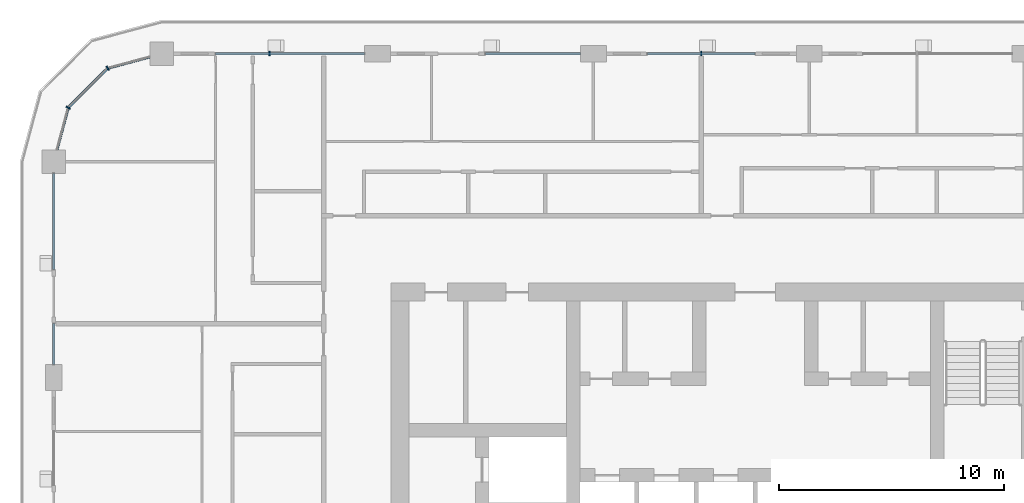
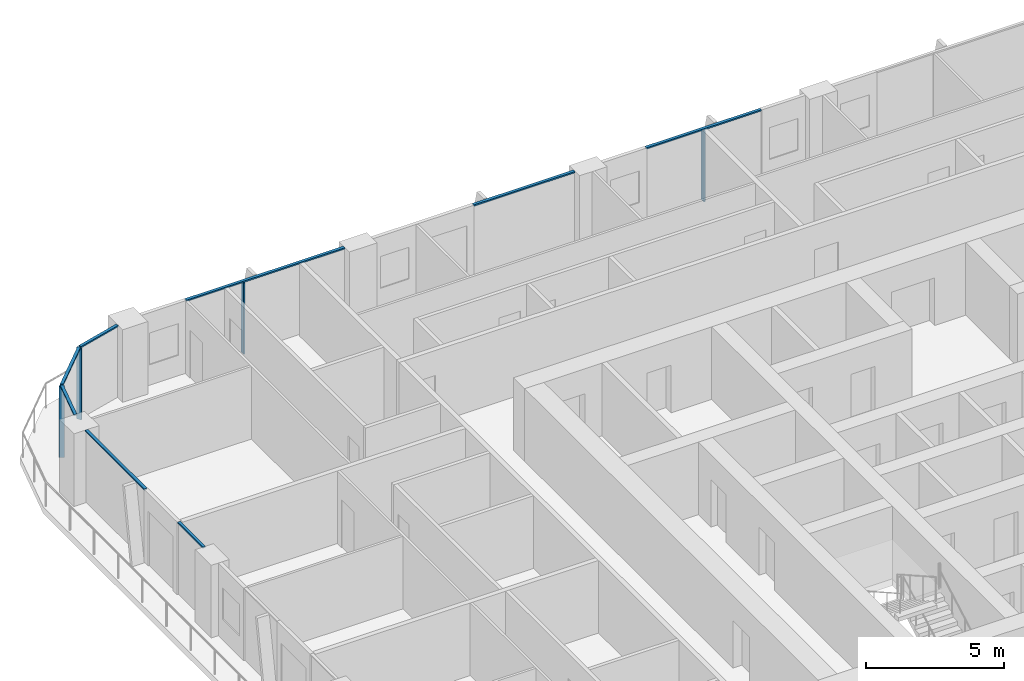
# One storey, part 5 of 22: 12 members, 5 elements without a shape of their own.
"""IFC4 building model written with IfcOpenShell, lengths in metres."""

from ifc_helpers import new_model, si_unit, direction, frame, origin, origin_2d, place, context, subcontext, project, spatial, rectangle, extrude, material, layer, layer_set, material_profile, profile_set, type_object, element, aggregate, save


model = new_model("IFC4")

# Units and contexts
model_context = context("Model", 3, precision=1e-05, world=origin(), true_north=direction((0.0, 1.0)))
body_context = subcontext(model_context, "Body", "Model", "MODEL_VIEW")
ifc_project = project(units=[si_unit("LENGTHUNIT", "METRE"), si_unit("AREAUNIT", "SQUARE_METRE"), si_unit("VOLUMEUNIT", "CUBIC_METRE"), si_unit("PLANEANGLEUNIT", "RADIAN"), si_unit("MASSUNIT", "GRAM", prefix="KILO")], contexts=[model_context])

# Site, building, storey
site_placement = place(None, origin())
site = spatial("IfcSite", under=ifc_project, at=site_placement, CompositionType="ELEMENT")
building_placement = place(site_placement, origin())
building = spatial("IfcBuilding", under=site, at=building_placement, Name="Madar Terraces", CompositionType="ELEMENT")
storey_placement = place(building_placement, frame((0.0, 0.0, 166.5)))
storey = spatial("IfcBuildingStorey", under=building, at=storey_placement, Name="L43", CompositionType="ELEMENT", Elevation=166.5)

# Curtain wall, member
ifc_material_1 = material(Name="Glass, ceramic frit dark grey, with black aluminium frame", Category="aluminium")
ifc_layer = layer(ifc_material_1, 0.199951171875)
ifc_layer_set = layer_set([ifc_layer], Name="Facade curtain wall, fritted glass")
curtain_wall_type = type_object("IfcCurtainWallType", Name="Facade curtain wall, fritted glass", PredefinedType="NOTDEFINED", material=ifc_layer_set)
curtain_wall_1_placement = place(storey_placement, origin())
curtain_wall_1 = element("IfcCurtainWall", 1, at=curtain_wall_1_placement, inside=storey, type_object=curtain_wall_type, Name="Outer skin curtain wall north bay 3", PredefinedType="NOTDEFINED")
ifc_material_2 = material(Name="Aluminium, black anodised", Category="aluminium")
ifc_material_profile_1 = material_profile(ifc_material_2, rectangle(XDim=0.199951171875, YDim=0.06005859375, at=origin_2d()), Name="Facade mullion 60x200")
ifc_profile_set_1 = profile_set([ifc_material_profile_1], Name="Aluminium, black anodised")
member_type_1 = type_object("IfcMemberType", Name="Facade mullion 60x200", PredefinedType="MULLION", material=ifc_profile_set_1)
member_1_placement = place(storey_placement, frame((28.800048828125, 48.0, 0.0), z_axis=(0.0, 0.0, 1.0), x_axis=(0.0, -1.0, 0.0)))
member_1 = element("IfcMember", 2, at=member_1_placement, type_object=member_type_1, Name="Mullion 1", PredefinedType="MULLION", context=body_context, shape_type="SweptSolid", body=[
    extrude(rectangle(XDim=0.199951171875, YDim=0.06005859375, at=origin_2d()), origin(), (0.0, 0.0, 1.0), 3.139892578125),
])

curtain_wall_2_placement = place(storey_placement, origin())
curtain_wall_2 = element("IfcCurtainWall", 3, at=curtain_wall_2_placement, inside=storey, type_object=curtain_wall_type, Name="Outer skin curtain wall north bay 5", PredefinedType="NOTDEFINED")
member_2_placement = place(storey_placement, frame((9.60009765625, 48.0, 0.0), z_axis=(0.0, 0.0, 1.0), x_axis=(0.0, -1.0, 0.0)))
member_2 = element("IfcMember", 4, at=member_2_placement, type_object=member_type_1, Name="Mullion 1", PredefinedType="MULLION", context=body_context, shape_type="SweptSolid", body=[
    extrude(rectangle(XDim=0.199951171875, YDim=0.06005859375, at=origin_2d()), origin(), (0.0, 0.0, 1.0), 3.139892578125),
])

# Curtain wall, members
curtain_wall_3_placement = place(storey_placement, origin())
curtain_wall_3 = element("IfcCurtainWall", 5, at=curtain_wall_3_placement, inside=storey, type_object=curtain_wall_type, Name="Outer skin curtain wall north-west corner", PredefinedType="NOTDEFINED")
member_3_placement = place(storey_placement, frame((2.39990234375, 47.35693359375, 0.0), z_axis=(0.0, 0.0, 1.0), x_axis=(0.499999989586, -0.866025409797, 0.0)))
member_3 = element("IfcMember", 6, at=member_3_placement, type_object=member_type_1, Name="Mullion 1", PredefinedType="MULLION", context=body_context, shape_type="SweptSolid", body=[
    extrude(rectangle(XDim=0.199951171875, YDim=0.06005859375, at=origin_2d()), origin(), (0.0, 0.0, 1.0), 3.139892578125),
])
member_4_placement = place(storey_placement, frame((0.64306640625, 45.60009765625, 0.0), z_axis=(0.0, 0.0, 1.0), x_axis=(0.866025409797, -0.499999989586, 0.0)))
member_4 = element("IfcMember", 7, at=member_4_placement, type_object=member_type_1, Name="Mullion 2", PredefinedType="MULLION", context=body_context, shape_type="SweptSolid", body=[
    extrude(rectangle(XDim=0.199951171875, YDim=0.06005859375, at=origin_2d()), origin(), (0.0, 0.0, 1.0), 3.139892578125),
])

# Member
ifc_material_3 = material(Name="Aluminium, black anodised", Category="aluminium")
ifc_material_profile_2 = material_profile(ifc_material_3, rectangle(XDim=0.1201171875, YDim=0.06005859375, at=origin_2d()), Name="Facade transom 60x120")
ifc_profile_set_2 = profile_set([ifc_material_profile_2], Name="Aluminium, black anodised")
member_type_2 = type_object("IfcMemberType", Name="Facade transom 60x120", PredefinedType="USERDEFINED", material=ifc_profile_set_2)
member_5_placement = place(storey_placement, frame((31.199951171875, 48.0, 3.169921875), z_axis=(-1.0, 0.0, 0.0), x_axis=(0.0, -1.0, 0.0)))
member_5 = element("IfcMember", 8, at=member_5_placement, type_object=member_type_2, Name="Transom 1", ObjectType="TRANSOM", PredefinedType="USERDEFINED", context=body_context, shape_type="SweptSolid", body=[
    extrude(rectangle(XDim=0.1201171875, YDim=0.06005859375, at=origin_2d()), origin(), (0.0, 0.0, 1.0), 4.800048828125),
])

aggregate(curtain_wall_1, [member_1, member_5])

# Curtain wall, member
curtain_wall_4_placement = place(storey_placement, origin())
curtain_wall_4 = element("IfcCurtainWall", 9, at=curtain_wall_4_placement, inside=storey, type_object=curtain_wall_type, Name="Outer skin curtain wall north bay 4", PredefinedType="NOTDEFINED")
member_6_placement = place(storey_placement, frame((23.425048828125, 48.0, 3.169921875), z_axis=(-1.0, 0.0, 0.0), x_axis=(0.0, -1.0, 0.0)))
member_6 = element("IfcMember", 10, at=member_6_placement, type_object=member_type_2, Name="Transom 1", ObjectType="TRANSOM", PredefinedType="USERDEFINED", context=body_context, shape_type="SweptSolid", body=[
    extrude(rectangle(XDim=0.1201171875, YDim=0.06005859375, at=origin_2d()), origin(), (0.0, 0.0, 1.0), 4.22509765625),
])
aggregate(curtain_wall_4, [member_6])

# Member
member_7_placement = place(storey_placement, frame((13.824951171875, 48.0, 3.169921875), z_axis=(-1.0, 0.0, 0.0), x_axis=(0.0, -1.0, 0.0)))
member_7 = element("IfcMember", 11, at=member_7_placement, type_object=member_type_2, Name="Transom 1", ObjectType="TRANSOM", PredefinedType="USERDEFINED", context=body_context, shape_type="SweptSolid", body=[
    extrude(rectangle(XDim=0.1201171875, YDim=0.06005859375, at=origin_2d()), origin(), (0.0, 0.0, 1.0), 6.625),
])

aggregate(curtain_wall_2, [member_2, member_7])

# Curtain wall, members
curtain_wall_5_placement = place(storey_placement, origin())
curtain_wall_5 = element("IfcCurtainWall", 12, at=curtain_wall_5_placement, inside=storey, type_object=curtain_wall_type, Name="Outer skin curtain wall west bay 1", PredefinedType="NOTDEFINED")
member_8_placement = place(storey_placement, frame((0.0, 42.675048828125, 3.169921875), z_axis=(0.0, -1.0, 0.0), x_axis=(1.0, 0.0, 0.0)))
member_8 = element("IfcMember", 13, at=member_8_placement, type_object=member_type_2, Name="Transom 1", ObjectType="TRANSOM", PredefinedType="USERDEFINED", context=body_context, shape_type="SweptSolid", body=[
    extrude(rectangle(XDim=0.1201171875, YDim=0.06005859375, at=origin_2d()), origin(), (0.0, 0.0, 1.0), 4.275146484375),
])
member_9_placement = place(storey_placement, frame((0.0, 36.0, 3.169921875), z_axis=(0.0, -1.0, 0.0), x_axis=(1.0, 0.0, 0.0)))
member_9 = element("IfcMember", 14, at=member_9_placement, type_object=member_type_2, Name="Transom 2", ObjectType="TRANSOM", PredefinedType="USERDEFINED", context=body_context, shape_type="SweptSolid", body=[
    extrude(rectangle(XDim=0.1201171875, YDim=0.06005859375, at=origin_2d()), origin(), (0.0, 0.0, 1.0), 1.824951171875),
])
aggregate(curtain_wall_5, [member_8, member_9])

# Member
member_10_placement = place(storey_placement, frame((4.27490234375, 47.859375, 3.169921875), z_axis=(-0.965924671538, -0.258823354654, 0.0), x_axis=(0.258823354654, -0.965924671538, 0.0)))
member_10 = element("IfcMember", 15, at=member_10_placement, type_object=member_type_2, Name="Transom 1", ObjectType="TRANSOM", PredefinedType="USERDEFINED", context=body_context, shape_type="SweptSolid", body=[
    extrude(rectangle(XDim=0.1201171875, YDim=0.06005859375, at=origin_2d()), origin(), (0.0, 0.0, 1.0), 1.9111328125),
])

member_11_placement = place(storey_placement, frame((2.37890625, 47.335693359375, 3.169921875), z_axis=(-0.707106781187, -0.707106781187, 0.0), x_axis=(0.707106781187, -0.707106781187, 0.0)))
member_11 = element("IfcMember", 16, at=member_11_placement, type_object=member_type_2, Name="Transom 2", ObjectType="TRANSOM", PredefinedType="USERDEFINED", context=body_context, shape_type="SweptSolid", body=[
    extrude(rectangle(XDim=0.1201171875, YDim=0.06005859375, at=origin_2d()), origin(), (0.0, 0.0, 1.0), 2.4248046875),
])

member_12_placement = place(storey_placement, frame((0.63525390625, 45.571044921875, 3.169921875), z_axis=(-0.258823354654, -0.965924671538, 0.0), x_axis=(0.965924671538, -0.258823354654, 0.0)))
member_12 = element("IfcMember", 17, at=member_12_placement, type_object=member_type_2, Name="Transom 3", ObjectType="TRANSOM", PredefinedType="USERDEFINED", context=body_context, shape_type="SweptSolid", body=[
    extrude(rectangle(XDim=0.1201171875, YDim=0.06005859375, at=origin_2d()), origin(), (0.0, 0.0, 1.0), 1.9111328125),
])

aggregate(curtain_wall_3, [member_3, member_10, member_4, member_11, member_12])

save(model, "model.ifc")
